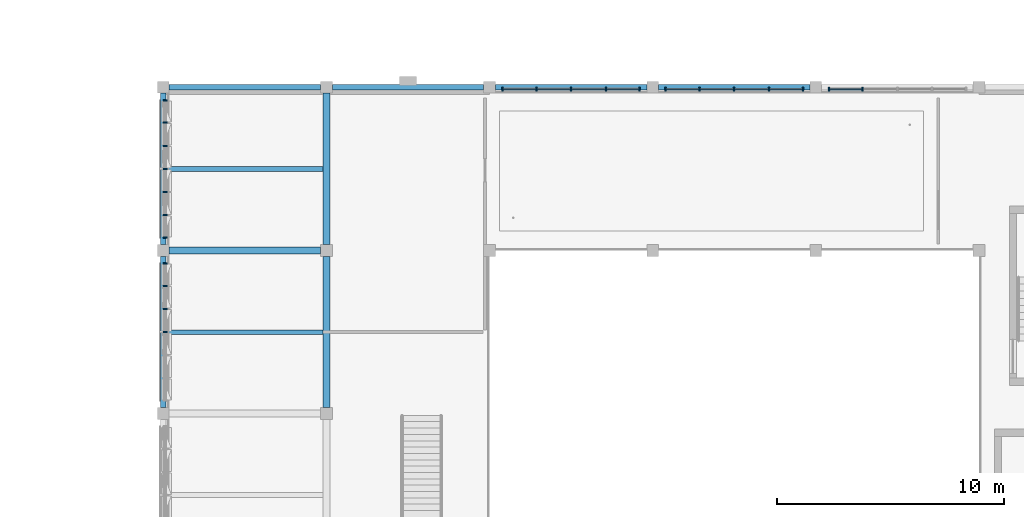
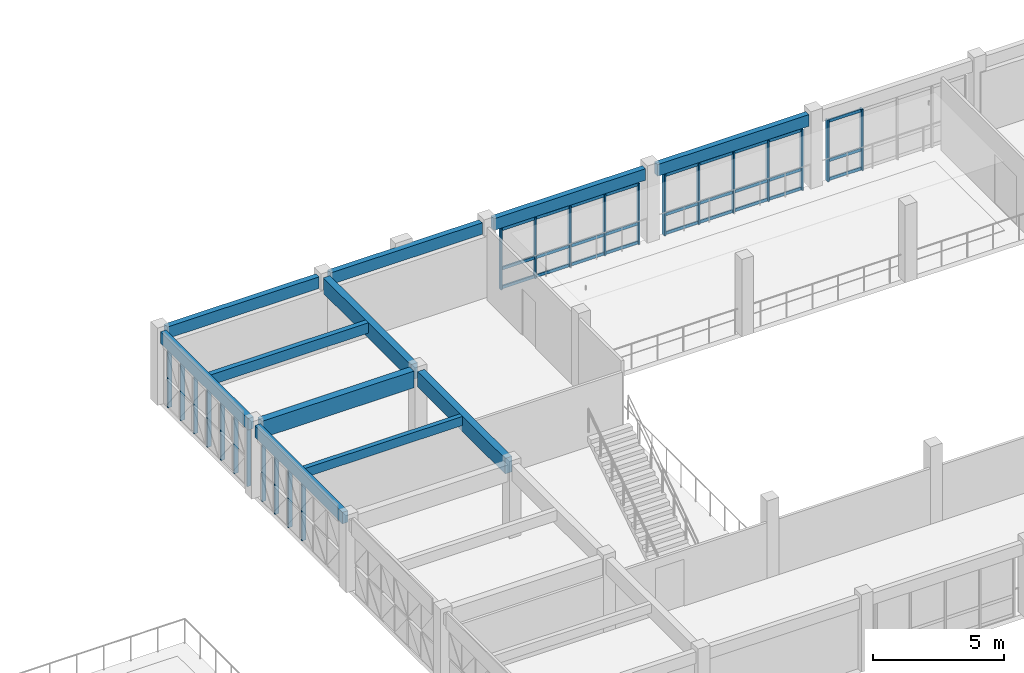
# One storey, part 12 of 99: 50 members, 11 beams, 5 elements without a shape of their own.
"""IFC4 building model written with IfcOpenShell, lengths in metres."""

from ifc_helpers import new_model, si_unit, direction, frame, origin, origin_2d, place, context, subcontext, project, spatial, rectangle, extrude, material, material_profile, profile_set, type_object, element, aggregate, save


model = new_model("IFC4")

# Units and contexts
model_context = context("Model", 3, precision=1e-05, world=origin(), true_north=direction((0.0, 1.0)))
body_context = subcontext(model_context, "Body", "Model", "MODEL_VIEW")
ifc_project = project(units=[si_unit("LENGTHUNIT", "METRE"), si_unit("AREAUNIT", "SQUARE_METRE"), si_unit("VOLUMEUNIT", "CUBIC_METRE"), si_unit("PLANEANGLEUNIT", "RADIAN"), si_unit("MASSUNIT", "GRAM", prefix="KILO")], contexts=[model_context])

# Site, building, storey
site_placement = place(None, origin())
site = spatial("IfcSite", under=ifc_project, at=site_placement, CompositionType="ELEMENT")
building_placement = place(site_placement, origin())
building = spatial("IfcBuilding", under=site, at=building_placement, Name="Alvorim Cloister Faculty of Sciences", CompositionType="ELEMENT")
storey_placement = place(building_placement, frame((0.0, 0.0, 12.14990234375)))
storey = spatial("IfcBuildingStorey", under=building, at=storey_placement, Name="L03", CompositionType="ELEMENT", Elevation=12.14990234375)

# Beams
ifc_material_1 = material(Name="Glulam GL32h", Category="wood")
ifc_material_profile_1 = material_profile(ifc_material_1, rectangle(XDim=0.300048828125, YDim=0.719970703125, at=origin_2d()), Name="GL32-BM-300x720")
ifc_profile_set_1 = profile_set([ifc_material_profile_1], Name="Glulam GL32h")
beam_type_1 = type_object("IfcBeamType", Name="BM-GL-300x720", PredefinedType="BEAM", material=ifc_profile_set_1)
beam_1_placement = place(storey_placement, frame((72.0, 14.659912109375, 3.030029296875), z_axis=(0.0, 1.0, 0.0), x_axis=(-1.0, 0.0, 0.0)))
element("IfcBeam", 1, at=beam_1_placement, inside=storey, type_object=beam_type_1, Name="L03 Primary Girder BM-1656", PredefinedType="BEAM", context=body_context, shape_type="SweptSolid", body=[
    extrude(rectangle(XDim=0.300048828125, YDim=0.719970703125, at=origin_2d()), origin(), (0.0, 0.0, 1.0), 6.68017578125),
])
beam_2_placement = place(storey_placement, frame((72.0, 21.860107421875, 3.030029296875), z_axis=(0.0, 1.0, 0.0), x_axis=(-1.0, 0.0, 0.0)))
element("IfcBeam", 2, at=beam_2_placement, inside=storey, type_object=beam_type_1, Name="L03 Primary Girder BM-1657", PredefinedType="BEAM", context=body_context, shape_type="SweptSolid", body=[
    extrude(rectangle(XDim=0.300048828125, YDim=0.719970703125, at=origin_2d()), origin(), (0.0, 0.0, 1.0), 6.679931640625),
])
ifc_material_profile_2 = material_profile(ifc_material_1, rectangle(XDim=0.320068359375, YDim=0.780029296875, at=origin_2d()), Name="GL32-BM-320x780")
ifc_profile_set_2 = profile_set([ifc_material_profile_2], Name="Glulam GL32h")
beam_type_2 = type_object("IfcBeamType", Name="BM-GL-320x780", PredefinedType="BEAM", material=ifc_profile_set_2)
beam_3_placement = place(storey_placement, frame((65.06005859375, 21.60009765625, 3.0), z_axis=(1.0, 0.0, 0.0), x_axis=(0.0, 1.0, 0.0)))
element("IfcBeam", 3, at=beam_3_placement, inside=storey, type_object=beam_type_2, Name="L03 Primary Beam BM-1529", PredefinedType="BEAM", context=body_context, shape_type="SweptSolid", body=[
    extrude(rectangle(XDim=0.320068359375, YDim=0.780029296875, at=origin_2d()), origin(), (0.0, 0.0, 1.0), 6.679931640625),
])
ifc_material_2 = material(Name="Glulam GL28h", Category="wood")
ifc_material_profile_3 = material_profile(ifc_material_2, rectangle(XDim=0.199951171875, YDim=0.419921875, at=origin_2d()), Name="GL28-JST-200x420")
ifc_profile_set_3 = profile_set([ifc_material_profile_3], Name="Glulam GL28h")
beam_type_3 = type_object("IfcBeamType", Name="BM-JST-GL-200x420", PredefinedType="JOIST", material=ifc_profile_set_3)
beam_4_placement = place(storey_placement, frame((64.919921875, 18.0, 3.18017578125), z_axis=(1.0, 0.0, 0.0), x_axis=(0.0, 1.0, 0.0)))
element("IfcBeam", 4, at=beam_4_placement, inside=storey, type_object=beam_type_3, Name="L03 Secondary Floor Joist BM-1716", PredefinedType="JOIST", context=body_context, shape_type="SweptSolid", body=[
    extrude(rectangle(XDim=0.199951171875, YDim=0.419921875, at=origin_2d()), origin(), (0.0, 0.0, 1.0), 6.93017578125),
])
ifc_material_profile_4 = material_profile(ifc_material_2, rectangle(XDim=0.219970703125, YDim=0.47998046875, at=origin_2d()), Name="GL28-JST-220x480")
ifc_profile_set_4 = profile_set([ifc_material_profile_4], Name="Glulam GL28h")
beam_type_4 = type_object("IfcBeamType", Name="BM-JST-GL-220x480", PredefinedType="JOIST", material=ifc_profile_set_4)
beam_5_placement = place(storey_placement, frame((64.919921875, 25.199951171875, 3.150146484375), z_axis=(1.0, 0.0, 0.0), x_axis=(0.0, 1.0, 0.0)))
element("IfcBeam", 5, at=beam_5_placement, inside=storey, type_object=beam_type_4, Name="L03 Secondary Floor Joist BM-1717", PredefinedType="JOIST", context=body_context, shape_type="SweptSolid", body=[
    extrude(rectangle(XDim=0.219970703125, YDim=0.47998046875, at=origin_2d()), origin(), (0.0, 0.0, 1.0), 6.93017578125),
])
ifc_material_profile_5 = material_profile(ifc_material_2, rectangle(XDim=0.239990234375, YDim=0.5400390625, at=origin_2d()), Name="GL28-SPD-240x540")
ifc_profile_set_5 = profile_set([ifc_material_profile_5], Name="Glulam GL28h")
beam_type_5 = type_object("IfcBeamType", Name="BM-SPD-GL-240x540", PredefinedType="SPANDREL", material=ifc_profile_set_5)
for number, where, z_axis, x_axis, name in (
    (6, (65.06005859375, 28.800048828125, 3.1201171875), (1.0, 0.0, 0.0), (0.0, 1.0, 0.0), "L03 Primary Beam BM-1531"),
    (7, (72.260009765625, 28.800048828125, 3.1201171875), (1.0, 0.0, 0.0), (0.0, 1.0, 0.0), "L03 Primary Beam BM-1532"),
    (8, (79.4599609375, 28.800048828125, 3.1201171875), (1.0, 0.0, 0.0), (0.0, 1.0, 0.0), "L03 Primary Beam BM-1533"),
):
    element("IfcBeam", number, at=place(storey_placement, frame(where, z_axis=z_axis, x_axis=x_axis)), inside=storey, type_object=beam_type_5, Name=name, PredefinedType="SPANDREL", context=body_context, shape_type="SweptSolid", body=[
        extrude(rectangle(XDim=0.239990234375, YDim=0.5400390625, at=origin_2d()), origin(), (0.0, 0.0, 1.0), 6.679931640625),
    ])
for number, where, z_axis, x_axis, name in (
    (9, (86.659912109375, 28.800048828125, 3.1201171875), (1.0, 0.0, 0.0), (0.0, 1.0, 0.0), "L03 Primary Beam BM-1534"),
    (10, (64.800048828125, 14.659912109375, 3.1201171875), (0.0, 1.0, 0.0), (-1.0, 0.0, 0.0), "L03 Primary Girder BM-1650"),
):
    element("IfcBeam", number, at=place(storey_placement, frame(where, z_axis=z_axis, x_axis=x_axis)), inside=storey, type_object=beam_type_5, Name=name, PredefinedType="SPANDREL", context=body_context, shape_type="SweptSolid", body=[
        extrude(rectangle(XDim=0.239990234375, YDim=0.5400390625, at=origin_2d()), origin(), (0.0, 0.0, 1.0), 6.68017578125),
    ])
beam_6_placement = place(storey_placement, frame((64.800048828125, 21.860107421875, 3.1201171875), z_axis=(0.0, 1.0, 0.0), x_axis=(-1.0, 0.0, 0.0)))
element("IfcBeam", 11, at=beam_6_placement, inside=storey, type_object=beam_type_5, Name="L03 Primary Girder BM-1651", PredefinedType="SPANDREL", context=body_context, shape_type="SweptSolid", body=[
    extrude(rectangle(XDim=0.239990234375, YDim=0.5400390625, at=origin_2d()), origin(), (0.0, 0.0, 1.0), 6.679931640625),
])

# Curtain wall, members
ifc_material_3 = material(Name="Aluminium and Low-E Glass Curtain Wall", Category="aluminium")
curtain_wall_type_1 = type_object("IfcCurtainWallType", Name="CW-TRI-6120x2850", PredefinedType="USERDEFINED", material=ifc_material_3)
curtain_wall_1_placement = place(storey_placement, origin())
curtain_wall_1 = element("IfcCurtainWall", 12, at=curtain_wall_1_placement, inside=storey, type_object=curtain_wall_type_1, Name="L03 Diagonal Cassette Curtain Wall CW-0160", ObjectType="UNITISED CURTAIN WALL", PredefinedType="USERDEFINED")
ifc_material_4 = material(Name="Aluminium Alloy 6063-T6", Category="aluminium")
ifc_material_profile_6 = material_profile(ifc_material_4, rectangle(XDim=0.06494140625, YDim=0.179931640625, at=origin_2d()), Name="ALU-MUL-65x180")
ifc_profile_set_6 = profile_set([ifc_material_profile_6], Name="Aluminium Alloy 6063-T6")
member_type_1 = type_object("IfcMemberType", Name="CW-MUL-65x180", PredefinedType="MULLION", material=ifc_profile_set_6)
member_1_placement = place(storey_placement, frame((64.889892578125, 18.0, 0.0), z_axis=(0.0, 0.0, 1.0), x_axis=(0.0, 1.0, 0.0)))
member_1 = element("IfcMember", 13, at=member_1_placement, type_object=member_type_1, Name="CW-0160 Mullion 4", PredefinedType="MULLION", context=body_context, shape_type="SweptSolid", body=[
    extrude(rectangle(XDim=0.06494140625, YDim=0.179931640625, at=origin_2d()), origin(), (0.0, 0.0, 1.0), 2.85009765625),
])
member_2_placement = place(storey_placement, frame((64.889892578125, 19.02001953125, 0.0), z_axis=(0.0, 0.0, 1.0), x_axis=(0.0, 1.0, 0.0)))
member_2 = element("IfcMember", 14, at=member_2_placement, type_object=member_type_1, Name="CW-0160 Mullion 5", PredefinedType="MULLION", context=body_context, shape_type="SweptSolid", body=[
    extrude(rectangle(XDim=0.06494140625, YDim=0.179931640625, at=origin_2d()), origin(), (0.0, 0.0, 1.0), 2.85009765625),
])
member_3_placement = place(storey_placement, frame((64.889892578125, 20.0400390625, 0.0), z_axis=(0.0, 0.0, 1.0), x_axis=(0.0, 1.0, 0.0)))
member_3 = element("IfcMember", 15, at=member_3_placement, type_object=member_type_1, Name="CW-0160 Mullion 6", PredefinedType="MULLION", context=body_context, shape_type="SweptSolid", body=[
    extrude(rectangle(XDim=0.06494140625, YDim=0.179931640625, at=origin_2d()), origin(), (0.0, 0.0, 1.0), 2.85009765625),
])
member_4_placement = place(storey_placement, frame((64.889892578125, 21.027587890625, 0.0), z_axis=(0.0, 0.0, 1.0), x_axis=(0.0, 1.0, 0.0)))
member_4 = element("IfcMember", 16, at=member_4_placement, type_object=member_type_1, Name="CW-0160 Mullion 7", PredefinedType="MULLION", context=body_context, shape_type="SweptSolid", body=[
    extrude(rectangle(XDim=0.06494140625, YDim=0.179931640625, at=origin_2d()), origin(), (0.0, 0.0, 1.0), 2.85009765625),
])
aggregate(curtain_wall_1, [member_1, member_2, member_3, member_4])

curtain_wall_2_placement = place(storey_placement, origin())
curtain_wall_2 = element("IfcCurtainWall", 17, at=curtain_wall_2_placement, inside=storey, type_object=curtain_wall_type_1, Name="L03 Diagonal Cassette Curtain Wall CW-0161", ObjectType="UNITISED CURTAIN WALL", PredefinedType="USERDEFINED")
member_5_placement = place(storey_placement, frame((64.889892578125, 22.172607421875, 0.0), z_axis=(0.0, 0.0, 1.0), x_axis=(0.0, 1.0, 0.0)))
member_5 = element("IfcMember", 18, at=member_5_placement, type_object=member_type_1, Name="CW-0161 Mullion 1", PredefinedType="MULLION", context=body_context, shape_type="SweptSolid", body=[
    extrude(rectangle(XDim=0.06494140625, YDim=0.179931640625, at=origin_2d()), origin(), (0.0, 0.0, 1.0), 2.85009765625),
])
member_6_placement = place(storey_placement, frame((64.889892578125, 23.159912109375, 0.0), z_axis=(0.0, 0.0, 1.0), x_axis=(0.0, 1.0, 0.0)))
member_6 = element("IfcMember", 19, at=member_6_placement, type_object=member_type_1, Name="CW-0161 Mullion 2", PredefinedType="MULLION", context=body_context, shape_type="SweptSolid", body=[
    extrude(rectangle(XDim=0.06494140625, YDim=0.179931640625, at=origin_2d()), origin(), (0.0, 0.0, 1.0), 2.85009765625),
])
member_7_placement = place(storey_placement, frame((64.889892578125, 24.179931640625, 0.0), z_axis=(0.0, 0.0, 1.0), x_axis=(0.0, 1.0, 0.0)))
member_7 = element("IfcMember", 20, at=member_7_placement, type_object=member_type_1, Name="CW-0161 Mullion 3", PredefinedType="MULLION", context=body_context, shape_type="SweptSolid", body=[
    extrude(rectangle(XDim=0.06494140625, YDim=0.179931640625, at=origin_2d()), origin(), (0.0, 0.0, 1.0), 2.85009765625),
])
member_8_placement = place(storey_placement, frame((64.889892578125, 25.199951171875, 0.0), z_axis=(0.0, 0.0, 1.0), x_axis=(0.0, 1.0, 0.0)))
member_8 = element("IfcMember", 21, at=member_8_placement, type_object=member_type_1, Name="CW-0161 Mullion 4", PredefinedType="MULLION", context=body_context, shape_type="SweptSolid", body=[
    extrude(rectangle(XDim=0.06494140625, YDim=0.179931640625, at=origin_2d()), origin(), (0.0, 0.0, 1.0), 2.85009765625),
])
member_9_placement = place(storey_placement, frame((64.889892578125, 26.219970703125, 0.0), z_axis=(0.0, 0.0, 1.0), x_axis=(0.0, 1.0, 0.0)))
member_9 = element("IfcMember", 22, at=member_9_placement, type_object=member_type_1, Name="CW-0161 Mullion 5", PredefinedType="MULLION", context=body_context, shape_type="SweptSolid", body=[
    extrude(rectangle(XDim=0.06494140625, YDim=0.179931640625, at=origin_2d()), origin(), (0.0, 0.0, 1.0), 2.85009765625),
])
member_10_placement = place(storey_placement, frame((64.889892578125, 27.239990234375, 0.0), z_axis=(0.0, 0.0, 1.0), x_axis=(0.0, 1.0, 0.0)))
member_10 = element("IfcMember", 23, at=member_10_placement, type_object=member_type_1, Name="CW-0161 Mullion 6", PredefinedType="MULLION", context=body_context, shape_type="SweptSolid", body=[
    extrude(rectangle(XDim=0.06494140625, YDim=0.179931640625, at=origin_2d()), origin(), (0.0, 0.0, 1.0), 2.85009765625),
])
member_11_placement = place(storey_placement, frame((64.889892578125, 28.2275390625, 0.0), z_axis=(0.0, 0.0, 1.0), x_axis=(0.0, 1.0, 0.0)))
member_11 = element("IfcMember", 24, at=member_11_placement, type_object=member_type_1, Name="CW-0161 Mullion 7", PredefinedType="MULLION", context=body_context, shape_type="SweptSolid", body=[
    extrude(rectangle(XDim=0.06494140625, YDim=0.179931640625, at=origin_2d()), origin(), (0.0, 0.0, 1.0), 2.85009765625),
])
aggregate(curtain_wall_2, [member_5, member_6, member_7, member_8, member_9, member_10, member_11])

curtain_wall_type_2 = type_object("IfcCurtainWallType", Name="CW-GLZ-6120x2850", PredefinedType="USERDEFINED", material=ifc_material_3)
curtain_wall_3_placement = place(storey_placement, origin())
curtain_wall_3 = element("IfcCurtainWall", 25, at=curtain_wall_3_placement, inside=storey, type_object=curtain_wall_type_2, Name="L03 Entrance and Atrium Glazed Curtain Wall CW-0162", ObjectType="UNITISED CURTAIN WALL", PredefinedType="USERDEFINED")
member_12_placement = place(storey_placement, frame((79.7724609375, 28.7099609375, 0.0), z_axis=(0.0, 0.0, 1.0), x_axis=(1.0, 0.0, 0.0)))
member_12 = element("IfcMember", 26, at=member_12_placement, type_object=member_type_1, Name="CW-10 mullion 1", PredefinedType="MULLION", context=body_context, shape_type="SweptSolid", body=[
    extrude(rectangle(XDim=0.06494140625, YDim=0.179931640625, at=origin_2d()), origin(), (0.0, 0.0, 1.0), 2.85009765625),
])
member_13_placement = place(storey_placement, frame((81.27001953125, 28.7099609375, 0.0), z_axis=(0.0, 0.0, 1.0), x_axis=(1.0, 0.0, 0.0)))
member_13 = element("IfcMember", 27, at=member_13_placement, type_object=member_type_1, Name="CW-10 mullion 2", PredefinedType="MULLION", context=body_context, shape_type="SweptSolid", body=[
    extrude(rectangle(XDim=0.06494140625, YDim=0.179931640625, at=origin_2d()), origin(), (0.0, 0.0, 1.0), 2.85009765625),
])
member_14_placement = place(storey_placement, frame((82.800048828125, 28.7099609375, 0.0), z_axis=(0.0, 0.0, 1.0), x_axis=(1.0, 0.0, 0.0)))
member_14 = element("IfcMember", 28, at=member_14_placement, type_object=member_type_1, Name="CW-10 mullion 3", PredefinedType="MULLION", context=body_context, shape_type="SweptSolid", body=[
    extrude(rectangle(XDim=0.06494140625, YDim=0.179931640625, at=origin_2d()), origin(), (0.0, 0.0, 1.0), 2.85009765625),
])
member_15_placement = place(storey_placement, frame((84.330078125, 28.7099609375, 0.0), z_axis=(0.0, 0.0, 1.0), x_axis=(1.0, 0.0, 0.0)))
member_15 = element("IfcMember", 29, at=member_15_placement, type_object=member_type_1, Name="CW-10 mullion 4", PredefinedType="MULLION", context=body_context, shape_type="SweptSolid", body=[
    extrude(rectangle(XDim=0.06494140625, YDim=0.179931640625, at=origin_2d()), origin(), (0.0, 0.0, 1.0), 2.85009765625),
])
member_16_placement = place(storey_placement, frame((85.827392578125, 28.7099609375, 0.0), z_axis=(0.0, 0.0, 1.0), x_axis=(1.0, 0.0, 0.0)))
member_16 = element("IfcMember", 30, at=member_16_placement, type_object=member_type_1, Name="CW-10 mullion 5", PredefinedType="MULLION", context=body_context, shape_type="SweptSolid", body=[
    extrude(rectangle(XDim=0.06494140625, YDim=0.179931640625, at=origin_2d()), origin(), (0.0, 0.0, 1.0), 2.85009765625),
])

curtain_wall_4_placement = place(storey_placement, origin())
curtain_wall_4 = element("IfcCurtainWall", 31, at=curtain_wall_4_placement, inside=storey, type_object=curtain_wall_type_2, Name="L03 Entrance and Atrium Glazed Curtain Wall CW-0163", ObjectType="UNITISED CURTAIN WALL", PredefinedType="USERDEFINED")
member_17_placement = place(storey_placement, frame((86.972412109375, 28.7099609375, 0.0), z_axis=(0.0, 0.0, 1.0), x_axis=(1.0, 0.0, 0.0)))
member_17 = element("IfcMember", 32, at=member_17_placement, type_object=member_type_1, Name="CW-10 mullion 1", PredefinedType="MULLION", context=body_context, shape_type="SweptSolid", body=[
    extrude(rectangle(XDim=0.06494140625, YDim=0.179931640625, at=origin_2d()), origin(), (0.0, 0.0, 1.0), 2.85009765625),
])
member_18_placement = place(storey_placement, frame((88.469970703125, 28.7099609375, 0.0), z_axis=(0.0, 0.0, 1.0), x_axis=(1.0, 0.0, 0.0)))
member_18 = element("IfcMember", 33, at=member_18_placement, type_object=member_type_1, Name="CW-10 mullion 2", PredefinedType="MULLION", context=body_context, shape_type="SweptSolid", body=[
    extrude(rectangle(XDim=0.06494140625, YDim=0.179931640625, at=origin_2d()), origin(), (0.0, 0.0, 1.0), 2.85009765625),
])
member_19_placement = place(storey_placement, frame((90.0, 28.7099609375, 0.0), z_axis=(0.0, 0.0, 1.0), x_axis=(1.0, 0.0, 0.0)))
member_19 = element("IfcMember", 34, at=member_19_placement, type_object=member_type_1, Name="CW-10 mullion 3", PredefinedType="MULLION", context=body_context, shape_type="SweptSolid", body=[
    extrude(rectangle(XDim=0.06494140625, YDim=0.179931640625, at=origin_2d()), origin(), (0.0, 0.0, 1.0), 2.85009765625),
])
member_20_placement = place(storey_placement, frame((91.530029296875, 28.7099609375, 0.0), z_axis=(0.0, 0.0, 1.0), x_axis=(1.0, 0.0, 0.0)))
member_20 = element("IfcMember", 35, at=member_20_placement, type_object=member_type_1, Name="CW-10 mullion 4", PredefinedType="MULLION", context=body_context, shape_type="SweptSolid", body=[
    extrude(rectangle(XDim=0.06494140625, YDim=0.179931640625, at=origin_2d()), origin(), (0.0, 0.0, 1.0), 2.85009765625),
])
member_21_placement = place(storey_placement, frame((93.027587890625, 28.7099609375, 0.0), z_axis=(0.0, 0.0, 1.0), x_axis=(1.0, 0.0, 0.0)))
member_21 = element("IfcMember", 36, at=member_21_placement, type_object=member_type_1, Name="CW-10 mullion 5", PredefinedType="MULLION", context=body_context, shape_type="SweptSolid", body=[
    extrude(rectangle(XDim=0.06494140625, YDim=0.179931640625, at=origin_2d()), origin(), (0.0, 0.0, 1.0), 2.85009765625),
])

curtain_wall_5_placement = place(storey_placement, origin())
curtain_wall_5 = element("IfcCurtainWall", 37, at=curtain_wall_5_placement, inside=storey, type_object=curtain_wall_type_2, Name="L03 Entrance and Atrium Glazed Curtain Wall CW-0164", ObjectType="UNITISED CURTAIN WALL", PredefinedType="USERDEFINED")
member_22_placement = place(storey_placement, frame((94.172607421875, 28.7099609375, 0.0), z_axis=(0.0, 0.0, 1.0), x_axis=(1.0, 0.0, 0.0)))
member_22 = element("IfcMember", 38, at=member_22_placement, type_object=member_type_1, Name="CW-10 mullion 1", PredefinedType="MULLION", context=body_context, shape_type="SweptSolid", body=[
    extrude(rectangle(XDim=0.06494140625, YDim=0.179931640625, at=origin_2d()), origin(), (0.0, 0.0, 1.0), 2.85009765625),
])
member_23_placement = place(storey_placement, frame((95.669921875, 28.7099609375, 0.0), z_axis=(0.0, 0.0, 1.0), x_axis=(1.0, 0.0, 0.0)))
member_23 = element("IfcMember", 39, at=member_23_placement, type_object=member_type_1, Name="CW-10 mullion 2", PredefinedType="MULLION", context=body_context, shape_type="SweptSolid", body=[
    extrude(rectangle(XDim=0.06494140625, YDim=0.179931640625, at=origin_2d()), origin(), (0.0, 0.0, 1.0), 2.85009765625),
])

# Member
ifc_material_profile_7 = material_profile(ifc_material_4, rectangle(XDim=0.06494140625, YDim=0.139892578125, at=origin_2d()), Name="ALU-TRN-65x140")
ifc_profile_set_7 = profile_set([ifc_material_profile_7], Name="Aluminium Alloy 6063-T6")
member_type_2 = type_object("IfcMemberType", Name="CW-TRN-65x140", PredefinedType="USERDEFINED", material=ifc_profile_set_7)
member_24_placement = place(storey_placement, frame((79.804931640625, 28.7099609375, 0.070068359375), z_axis=(1.0, 0.0, 0.0), x_axis=(0.0, 1.0, 0.0)))
member_24 = element("IfcMember", 40, at=member_24_placement, type_object=member_type_2, Name="CW-10 transom 1.1", ObjectType="TRANSOM", PredefinedType="USERDEFINED", context=body_context, shape_type="SweptSolid", body=[
    extrude(rectangle(XDim=0.06494140625, YDim=0.139892578125, at=origin_2d()), origin(), (0.0, 0.0, 1.0), 1.4326171875),
])

member_25_placement = place(storey_placement, frame((79.804931640625, 28.7099609375, 0.9501953125), z_axis=(1.0, 0.0, 0.0), x_axis=(0.0, 1.0, 0.0)))
member_25 = element("IfcMember", 41, at=member_25_placement, type_object=member_type_2, Name="CW-10 transom 1.2", ObjectType="TRANSOM", PredefinedType="USERDEFINED", context=body_context, shape_type="SweptSolid", body=[
    extrude(rectangle(XDim=0.06494140625, YDim=0.139892578125, at=origin_2d()), origin(), (0.0, 0.0, 1.0), 1.4326171875),
])

member_26_placement = place(storey_placement, frame((79.804931640625, 28.7099609375, 2.780029296875), z_axis=(1.0, 0.0, 0.0), x_axis=(0.0, 1.0, 0.0)))
member_26 = element("IfcMember", 42, at=member_26_placement, type_object=member_type_2, Name="CW-10 transom 1.3", ObjectType="TRANSOM", PredefinedType="USERDEFINED", context=body_context, shape_type="SweptSolid", body=[
    extrude(rectangle(XDim=0.06494140625, YDim=0.139892578125, at=origin_2d()), origin(), (0.0, 0.0, 1.0), 1.4326171875),
])

member_27_placement = place(storey_placement, frame((81.302490234375, 28.7099609375, 0.070068359375), z_axis=(1.0, 0.0, 0.0), x_axis=(0.0, 1.0, 0.0)))
member_27 = element("IfcMember", 43, at=member_27_placement, type_object=member_type_2, Name="CW-10 transom 2.1", ObjectType="TRANSOM", PredefinedType="USERDEFINED", context=body_context, shape_type="SweptSolid", body=[
    extrude(rectangle(XDim=0.06494140625, YDim=0.139892578125, at=origin_2d()), origin(), (0.0, 0.0, 1.0), 1.465087890625),
])

member_28_placement = place(storey_placement, frame((81.302490234375, 28.7099609375, 0.9501953125), z_axis=(1.0, 0.0, 0.0), x_axis=(0.0, 1.0, 0.0)))
member_28 = element("IfcMember", 44, at=member_28_placement, type_object=member_type_2, Name="CW-10 transom 2.2", ObjectType="TRANSOM", PredefinedType="USERDEFINED", context=body_context, shape_type="SweptSolid", body=[
    extrude(rectangle(XDim=0.06494140625, YDim=0.139892578125, at=origin_2d()), origin(), (0.0, 0.0, 1.0), 1.465087890625),
])

member_29_placement = place(storey_placement, frame((81.302490234375, 28.7099609375, 2.780029296875), z_axis=(1.0, 0.0, 0.0), x_axis=(0.0, 1.0, 0.0)))
member_29 = element("IfcMember", 45, at=member_29_placement, type_object=member_type_2, Name="CW-10 transom 2.3", ObjectType="TRANSOM", PredefinedType="USERDEFINED", context=body_context, shape_type="SweptSolid", body=[
    extrude(rectangle(XDim=0.06494140625, YDim=0.139892578125, at=origin_2d()), origin(), (0.0, 0.0, 1.0), 1.465087890625),
])

member_30_placement = place(storey_placement, frame((82.83251953125, 28.7099609375, 0.070068359375), z_axis=(1.0, 0.0, 0.0), x_axis=(0.0, 1.0, 0.0)))
member_30 = element("IfcMember", 46, at=member_30_placement, type_object=member_type_2, Name="CW-10 transom 3.1", ObjectType="TRANSOM", PredefinedType="USERDEFINED", context=body_context, shape_type="SweptSolid", body=[
    extrude(rectangle(XDim=0.06494140625, YDim=0.139892578125, at=origin_2d()), origin(), (0.0, 0.0, 1.0), 1.465087890625),
])

member_31_placement = place(storey_placement, frame((82.83251953125, 28.7099609375, 0.9501953125), z_axis=(1.0, 0.0, 0.0), x_axis=(0.0, 1.0, 0.0)))
member_31 = element("IfcMember", 47, at=member_31_placement, type_object=member_type_2, Name="CW-10 transom 3.2", ObjectType="TRANSOM", PredefinedType="USERDEFINED", context=body_context, shape_type="SweptSolid", body=[
    extrude(rectangle(XDim=0.06494140625, YDim=0.139892578125, at=origin_2d()), origin(), (0.0, 0.0, 1.0), 1.465087890625),
])

member_32_placement = place(storey_placement, frame((82.83251953125, 28.7099609375, 2.780029296875), z_axis=(1.0, 0.0, 0.0), x_axis=(0.0, 1.0, 0.0)))
member_32 = element("IfcMember", 48, at=member_32_placement, type_object=member_type_2, Name="CW-10 transom 3.3", ObjectType="TRANSOM", PredefinedType="USERDEFINED", context=body_context, shape_type="SweptSolid", body=[
    extrude(rectangle(XDim=0.06494140625, YDim=0.139892578125, at=origin_2d()), origin(), (0.0, 0.0, 1.0), 1.465087890625),
])

member_33_placement = place(storey_placement, frame((84.362548828125, 28.7099609375, 0.070068359375), z_axis=(1.0, 0.0, 0.0), x_axis=(0.0, 1.0, 0.0)))
member_33 = element("IfcMember", 49, at=member_33_placement, type_object=member_type_2, Name="CW-10 transom 4.1", ObjectType="TRANSOM", PredefinedType="USERDEFINED", context=body_context, shape_type="SweptSolid", body=[
    extrude(rectangle(XDim=0.06494140625, YDim=0.139892578125, at=origin_2d()), origin(), (0.0, 0.0, 1.0), 1.432373046875),
])

member_34_placement = place(storey_placement, frame((84.362548828125, 28.7099609375, 0.9501953125), z_axis=(1.0, 0.0, 0.0), x_axis=(0.0, 1.0, 0.0)))
member_34 = element("IfcMember", 50, at=member_34_placement, type_object=member_type_2, Name="CW-10 transom 4.2", ObjectType="TRANSOM", PredefinedType="USERDEFINED", context=body_context, shape_type="SweptSolid", body=[
    extrude(rectangle(XDim=0.06494140625, YDim=0.139892578125, at=origin_2d()), origin(), (0.0, 0.0, 1.0), 1.432373046875),
])

member_35_placement = place(storey_placement, frame((84.362548828125, 28.7099609375, 2.780029296875), z_axis=(1.0, 0.0, 0.0), x_axis=(0.0, 1.0, 0.0)))
member_35 = element("IfcMember", 51, at=member_35_placement, type_object=member_type_2, Name="CW-10 transom 4.3", ObjectType="TRANSOM", PredefinedType="USERDEFINED", context=body_context, shape_type="SweptSolid", body=[
    extrude(rectangle(XDim=0.06494140625, YDim=0.139892578125, at=origin_2d()), origin(), (0.0, 0.0, 1.0), 1.432373046875),
])

aggregate(curtain_wall_3, [member_12, member_13, member_14, member_15, member_16, member_24, member_25, member_26, member_27, member_28, member_29, member_30, member_31, member_32, member_33, member_34, member_35])

member_36_placement = place(storey_placement, frame((87.0048828125, 28.7099609375, 0.070068359375), z_axis=(1.0, 0.0, 0.0), x_axis=(0.0, 1.0, 0.0)))
member_36 = element("IfcMember", 52, at=member_36_placement, type_object=member_type_2, Name="CW-10 transom 1.1", ObjectType="TRANSOM", PredefinedType="USERDEFINED", context=body_context, shape_type="SweptSolid", body=[
    extrude(rectangle(XDim=0.06494140625, YDim=0.139892578125, at=origin_2d()), origin(), (0.0, 0.0, 1.0), 1.4326171875),
])

member_37_placement = place(storey_placement, frame((87.0048828125, 28.7099609375, 0.9501953125), z_axis=(1.0, 0.0, 0.0), x_axis=(0.0, 1.0, 0.0)))
member_37 = element("IfcMember", 53, at=member_37_placement, type_object=member_type_2, Name="CW-10 transom 1.2", ObjectType="TRANSOM", PredefinedType="USERDEFINED", context=body_context, shape_type="SweptSolid", body=[
    extrude(rectangle(XDim=0.06494140625, YDim=0.139892578125, at=origin_2d()), origin(), (0.0, 0.0, 1.0), 1.4326171875),
])

member_38_placement = place(storey_placement, frame((87.0048828125, 28.7099609375, 2.780029296875), z_axis=(1.0, 0.0, 0.0), x_axis=(0.0, 1.0, 0.0)))
member_38 = element("IfcMember", 54, at=member_38_placement, type_object=member_type_2, Name="CW-10 transom 1.3", ObjectType="TRANSOM", PredefinedType="USERDEFINED", context=body_context, shape_type="SweptSolid", body=[
    extrude(rectangle(XDim=0.06494140625, YDim=0.139892578125, at=origin_2d()), origin(), (0.0, 0.0, 1.0), 1.4326171875),
])

member_39_placement = place(storey_placement, frame((88.50244140625, 28.7099609375, 0.070068359375), z_axis=(1.0, 0.0, 0.0), x_axis=(0.0, 1.0, 0.0)))
member_39 = element("IfcMember", 55, at=member_39_placement, type_object=member_type_2, Name="CW-10 transom 2.1", ObjectType="TRANSOM", PredefinedType="USERDEFINED", context=body_context, shape_type="SweptSolid", body=[
    extrude(rectangle(XDim=0.06494140625, YDim=0.139892578125, at=origin_2d()), origin(), (0.0, 0.0, 1.0), 1.465087890625),
])

member_40_placement = place(storey_placement, frame((88.50244140625, 28.7099609375, 0.9501953125), z_axis=(1.0, 0.0, 0.0), x_axis=(0.0, 1.0, 0.0)))
member_40 = element("IfcMember", 56, at=member_40_placement, type_object=member_type_2, Name="CW-10 transom 2.2", ObjectType="TRANSOM", PredefinedType="USERDEFINED", context=body_context, shape_type="SweptSolid", body=[
    extrude(rectangle(XDim=0.06494140625, YDim=0.139892578125, at=origin_2d()), origin(), (0.0, 0.0, 1.0), 1.465087890625),
])

member_41_placement = place(storey_placement, frame((88.50244140625, 28.7099609375, 2.780029296875), z_axis=(1.0, 0.0, 0.0), x_axis=(0.0, 1.0, 0.0)))
member_41 = element("IfcMember", 57, at=member_41_placement, type_object=member_type_2, Name="CW-10 transom 2.3", ObjectType="TRANSOM", PredefinedType="USERDEFINED", context=body_context, shape_type="SweptSolid", body=[
    extrude(rectangle(XDim=0.06494140625, YDim=0.139892578125, at=origin_2d()), origin(), (0.0, 0.0, 1.0), 1.465087890625),
])

member_42_placement = place(storey_placement, frame((90.032470703125, 28.7099609375, 0.070068359375), z_axis=(1.0, 0.0, 0.0), x_axis=(0.0, 1.0, 0.0)))
member_42 = element("IfcMember", 58, at=member_42_placement, type_object=member_type_2, Name="CW-10 transom 3.1", ObjectType="TRANSOM", PredefinedType="USERDEFINED", context=body_context, shape_type="SweptSolid", body=[
    extrude(rectangle(XDim=0.06494140625, YDim=0.139892578125, at=origin_2d()), origin(), (0.0, 0.0, 1.0), 1.465087890625),
])

member_43_placement = place(storey_placement, frame((90.032470703125, 28.7099609375, 0.9501953125), z_axis=(1.0, 0.0, 0.0), x_axis=(0.0, 1.0, 0.0)))
member_43 = element("IfcMember", 59, at=member_43_placement, type_object=member_type_2, Name="CW-10 transom 3.2", ObjectType="TRANSOM", PredefinedType="USERDEFINED", context=body_context, shape_type="SweptSolid", body=[
    extrude(rectangle(XDim=0.06494140625, YDim=0.139892578125, at=origin_2d()), origin(), (0.0, 0.0, 1.0), 1.465087890625),
])

member_44_placement = place(storey_placement, frame((90.032470703125, 28.7099609375, 2.780029296875), z_axis=(1.0, 0.0, 0.0), x_axis=(0.0, 1.0, 0.0)))
member_44 = element("IfcMember", 60, at=member_44_placement, type_object=member_type_2, Name="CW-10 transom 3.3", ObjectType="TRANSOM", PredefinedType="USERDEFINED", context=body_context, shape_type="SweptSolid", body=[
    extrude(rectangle(XDim=0.06494140625, YDim=0.139892578125, at=origin_2d()), origin(), (0.0, 0.0, 1.0), 1.465087890625),
])

member_45_placement = place(storey_placement, frame((91.5625, 28.7099609375, 0.070068359375), z_axis=(1.0, 0.0, 0.0), x_axis=(0.0, 1.0, 0.0)))
member_45 = element("IfcMember", 61, at=member_45_placement, type_object=member_type_2, Name="CW-10 transom 4.1", ObjectType="TRANSOM", PredefinedType="USERDEFINED", context=body_context, shape_type="SweptSolid", body=[
    extrude(rectangle(XDim=0.06494140625, YDim=0.139892578125, at=origin_2d()), origin(), (0.0, 0.0, 1.0), 1.4326171875),
])

member_46_placement = place(storey_placement, frame((91.5625, 28.7099609375, 0.9501953125), z_axis=(1.0, 0.0, 0.0), x_axis=(0.0, 1.0, 0.0)))
member_46 = element("IfcMember", 62, at=member_46_placement, type_object=member_type_2, Name="CW-10 transom 4.2", ObjectType="TRANSOM", PredefinedType="USERDEFINED", context=body_context, shape_type="SweptSolid", body=[
    extrude(rectangle(XDim=0.06494140625, YDim=0.139892578125, at=origin_2d()), origin(), (0.0, 0.0, 1.0), 1.4326171875),
])

member_47_placement = place(storey_placement, frame((91.5625, 28.7099609375, 2.780029296875), z_axis=(1.0, 0.0, 0.0), x_axis=(0.0, 1.0, 0.0)))
member_47 = element("IfcMember", 63, at=member_47_placement, type_object=member_type_2, Name="CW-10 transom 4.3", ObjectType="TRANSOM", PredefinedType="USERDEFINED", context=body_context, shape_type="SweptSolid", body=[
    extrude(rectangle(XDim=0.06494140625, YDim=0.139892578125, at=origin_2d()), origin(), (0.0, 0.0, 1.0), 1.4326171875),
])

aggregate(curtain_wall_4, [member_17, member_18, member_19, member_20, member_21, member_36, member_37, member_38, member_39, member_40, member_41, member_42, member_43, member_44, member_45, member_46, member_47])

member_48_placement = place(storey_placement, frame((94.205078125, 28.7099609375, 0.070068359375), z_axis=(1.0, 0.0, 0.0), x_axis=(0.0, 1.0, 0.0)))
member_48 = element("IfcMember", 64, at=member_48_placement, type_object=member_type_2, Name="CW-10 transom 1.1", ObjectType="TRANSOM", PredefinedType="USERDEFINED", context=body_context, shape_type="SweptSolid", body=[
    extrude(rectangle(XDim=0.06494140625, YDim=0.139892578125, at=origin_2d()), origin(), (0.0, 0.0, 1.0), 1.432373046875),
])

member_49_placement = place(storey_placement, frame((94.205078125, 28.7099609375, 0.9501953125), z_axis=(1.0, 0.0, 0.0), x_axis=(0.0, 1.0, 0.0)))
member_49 = element("IfcMember", 65, at=member_49_placement, type_object=member_type_2, Name="CW-10 transom 1.2", ObjectType="TRANSOM", PredefinedType="USERDEFINED", context=body_context, shape_type="SweptSolid", body=[
    extrude(rectangle(XDim=0.06494140625, YDim=0.139892578125, at=origin_2d()), origin(), (0.0, 0.0, 1.0), 1.432373046875),
])

member_50_placement = place(storey_placement, frame((94.205078125, 28.7099609375, 2.780029296875), z_axis=(1.0, 0.0, 0.0), x_axis=(0.0, 1.0, 0.0)))
member_50 = element("IfcMember", 66, at=member_50_placement, type_object=member_type_2, Name="CW-10 transom 1.3", ObjectType="TRANSOM", PredefinedType="USERDEFINED", context=body_context, shape_type="SweptSolid", body=[
    extrude(rectangle(XDim=0.06494140625, YDim=0.139892578125, at=origin_2d()), origin(), (0.0, 0.0, 1.0), 1.432373046875),
])

aggregate(curtain_wall_5, [member_22, member_23, member_48, member_49, member_50])

save(model, "model.ifc")
